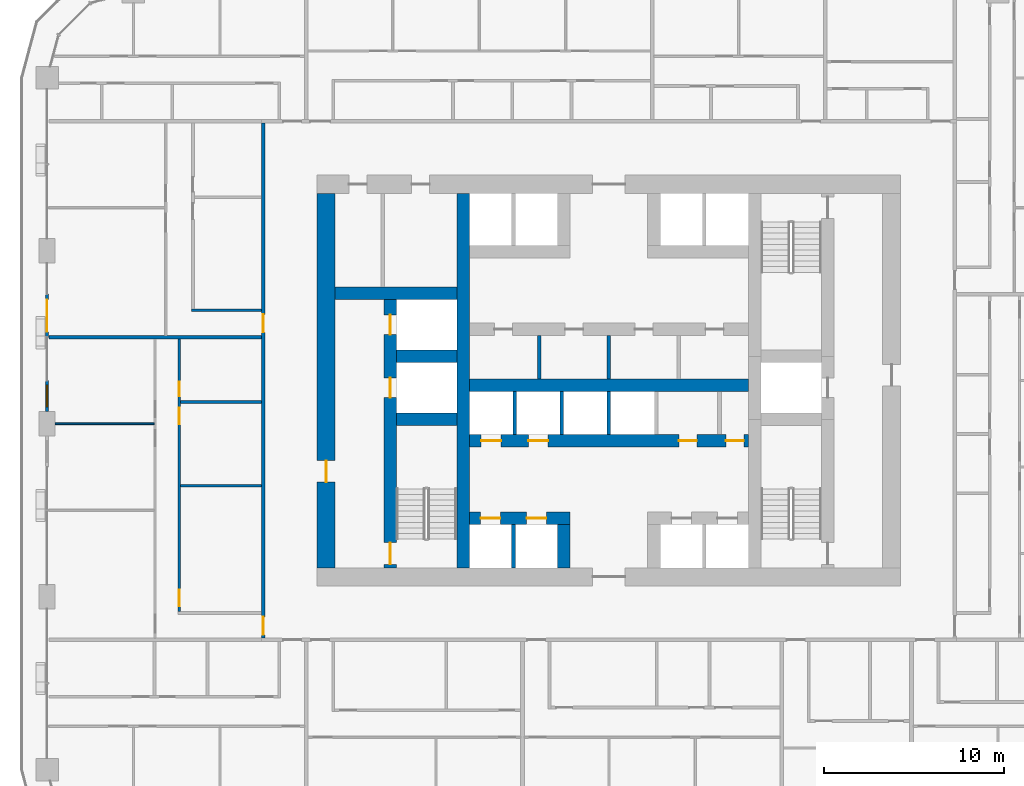
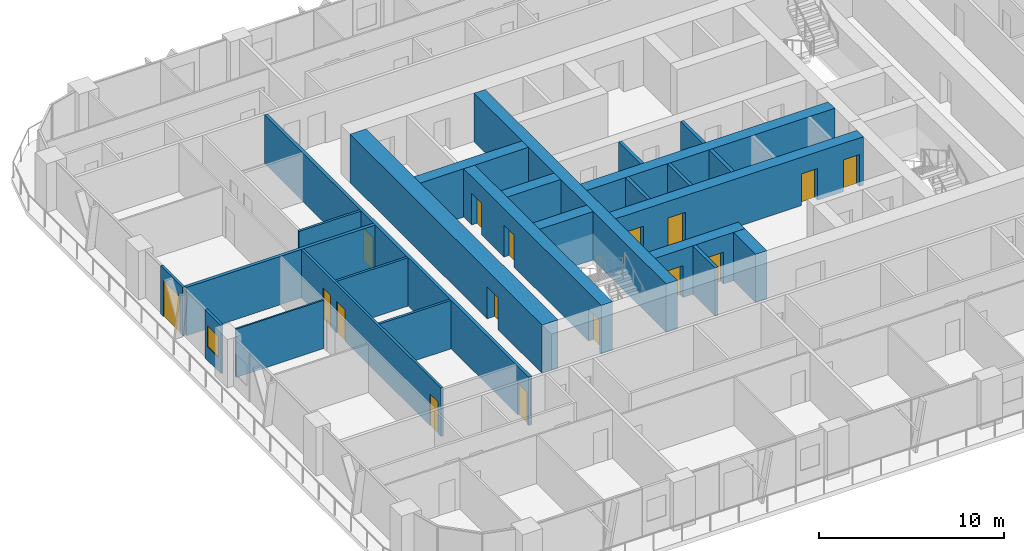
# One storey, part 10 of 21: 25 walls, 16 doors, 1 window, 17 openings.
"""IFC4 building model written with IfcOpenShell, lengths in metres."""

from ifc_helpers import new_model, si_unit, direction, frame, frame_2d, origin, place, context, subcontext, project, spatial, rectangle, extrude, material, layer, layer_set, type_object, element, fill, save


model = new_model("IFC4")

# Units and contexts
model_context = context("Model", 3, precision=1e-05, world=origin(), true_north=direction((0.0, 1.0)))
body_context = subcontext(model_context, "Body", "Model", "MODEL_VIEW")
ifc_project = project(units=[si_unit("LENGTHUNIT", "METRE"), si_unit("AREAUNIT", "SQUARE_METRE"), si_unit("VOLUMEUNIT", "CUBIC_METRE"), si_unit("PLANEANGLEUNIT", "RADIAN"), si_unit("MASSUNIT", "GRAM", prefix="KILO")], contexts=[model_context])

# Site, building, storey
site_placement = place(None, origin())
site = spatial("IfcSite", under=ifc_project, at=site_placement, CompositionType="ELEMENT")
building_placement = place(site_placement, origin())
building = spatial("IfcBuilding", under=site, at=building_placement, Name="Madar Terraces", CompositionType="ELEMENT")
storey_placement = place(building_placement, frame((0.0, 0.0, 36.39990234375)))
storey = spatial("IfcBuildingStorey", under=building, at=storey_placement, Name="L08", CompositionType="ELEMENT", Elevation=36.39990234375)

# Wall, openings, doors
ifc_material_1 = material(Name="Concrete C80/95", Category="concrete")
ifc_layer_1 = layer(ifc_material_1, 0.699951171875)
ifc_layer_set_1 = layer_set([ifc_layer_1], Name="Concrete C80/95 (CIW1 RC wall 700)")
wall_type_1 = type_object("IfcWallType", Name="CIW1 RC wall 700", PredefinedType="SHEAR", material=ifc_layer_set_1)
wall_1_placement = place(storey_placement, frame((19.050048828125, 16.0, 0.0), z_axis=(0.0, 0.0, 1.0), x_axis=(0.0, 1.0, 0.0)))
wall_1 = element("IfcWall", 1, at=wall_1_placement, inside=storey, type_object=wall_type_1, Name="CORE SHAFT WALL", PredefinedType="SHEAR", context=body_context, shape_type="SweptSolid", body=[
    extrude(rectangle(XDim=14.89990234375, YDim=0.699951171875, at=frame_2d((7.449951171875, 0.0))), origin(), (0.0, 0.0, 1.0), 3.2001953125),
])
opening_1_placement = place(wall_1_placement, frame((9.449951171875, 0.0, 0.0)))
opening_1 = element("IfcOpeningElement", 2, at=opening_1_placement, cuts=wall_1, Name="Opening LD", PredefinedType="OPENING", context=body_context, shape_type="SweptSolid", body=[
    extrude(rectangle(XDim=1.10009765625, YDim=2.10009765625, at=frame_2d((0.550048828125, 1.050048828125))), frame((0.0, 0.35986328125, 0.0), z_axis=(0.0, -1.0, 0.0), x_axis=(1.0, 0.0, 0.0)), (0.0, 0.0, 1.0), 0.719970703125),
])
opening_2_placement = place(wall_1_placement, frame((12.949951171875, 0.0, 0.0)))
opening_2 = element("IfcOpeningElement", 3, at=opening_2_placement, cuts=wall_1, Name="Opening LD", PredefinedType="OPENING", context=body_context, shape_type="SweptSolid", body=[
    extrude(rectangle(XDim=1.10009765625, YDim=2.10009765625, at=frame_2d((0.550048828125, 1.050048828125))), frame((0.0, 0.35986328125, 0.0), z_axis=(0.0, -1.0, 0.0), x_axis=(1.0, 0.0, 0.0)), (0.0, 0.0, 1.0), 0.719970703125),
])
opening_3_placement = place(wall_1_placement, frame((0.199951171875, 0.0, 0.0)))
opening_3 = element("IfcOpeningElement", 4, at=opening_3_placement, cuts=wall_1, Name="Opening SD1", PredefinedType="OPENING", context=body_context, shape_type="SweptSolid", body=[
    extrude(rectangle(XDim=1.199951171875, YDim=2.10009765625, at=frame_2d((0.60009765625, 1.050048828125))), frame((0.0, 0.35986328125, 0.0), z_axis=(0.0, -1.0, 0.0), x_axis=(1.0, 0.0, 0.0)), (0.0, 0.0, 1.0), 0.719970703125),
])
ifc_material_2 = material(Name="Stainless steel panel", Category="steel")
door_type_1 = type_object("IfcDoorType", Name="Lift landing door 1100 x 2100", OperationType="DOUBLE_DOOR_SLIDING", PredefinedType="DOOR", material=ifc_material_2)
door_1_placement = place(opening_1_placement, origin())
door_1 = element("IfcDoor", 5, at=door_1_placement, inside=storey, type_object=door_type_1, Name="LIFT LANDING DOOR", OperationType="DOUBLE_DOOR_SLIDING", OverallHeight=2.10009765625, OverallWidth=1.10009765625, PredefinedType="DOOR", context=body_context, shape_type="SweptSolid", body=[
    extrude(rectangle(XDim=1.10009765625, YDim=2.10009765625, at=frame_2d((0.550048828125, 1.050048828125))), frame((0.0, 0.02490234375, 0.0), z_axis=(0.0, -1.0, 0.0), x_axis=(1.0, 0.0, 0.0)), (0.0, 0.0, 1.0), 0.050048828125),
])
fill(opening_1, door_1)
door_2_placement = place(opening_2_placement, origin())
door_2 = element("IfcDoor", 6, at=door_2_placement, inside=storey, type_object=door_type_1, Name="LIFT LANDING DOOR", OperationType="DOUBLE_DOOR_SLIDING", OverallHeight=2.10009765625, OverallWidth=1.10009765625, PredefinedType="DOOR", context=body_context, shape_type="SweptSolid", body=[
    extrude(rectangle(XDim=1.10009765625, YDim=2.10009765625, at=frame_2d((0.550048828125, 1.050048828125))), frame((0.0, 0.02490234375, 0.0), z_axis=(0.0, -1.0, 0.0), x_axis=(1.0, 0.0, 0.0)), (0.0, 0.0, 1.0), 0.050048828125),
])
fill(opening_2, door_2)
ifc_material_3 = material(Name="Steel door leaf", Category="steel")
door_type_2 = type_object("IfcDoorType", Name="Stair door 1200 x 2100", OperationType="NOTDEFINED", PredefinedType="DOOR", material=ifc_material_3)
door_3_placement = place(opening_3_placement, frame((1.199951171875, 0.0, 0.0), z_axis=(0.0, 0.0, 1.0), x_axis=(-1.0, 0.0, 0.0)))
door_3 = element("IfcDoor", 7, at=door_3_placement, inside=storey, type_object=door_type_2, Name="STAIR DOOR", OperationType="SINGLE_SWING_RIGHT", OverallHeight=2.10009765625, OverallWidth=1.199951171875, PredefinedType="DOOR", context=body_context, shape_type="SweptSolid", body=[
    extrude(rectangle(XDim=1.199951171875, YDim=2.10009765625, at=frame_2d((0.60009765625, 1.050048828125))), frame((0.0, 0.02490234375, 0.0), z_axis=(0.0, -1.0, 0.0), x_axis=(1.0, 0.0, 0.0)), (0.0, 0.0, 1.0), 0.050048828125),
])
fill(opening_3, door_3)

# Walls
wall_2_placement = place(storey_placement, frame((23.10009765625, 16.0, 0.0), z_axis=(0.0, 0.0, 1.0), x_axis=(0.0, 1.0, 0.0)))
element("IfcWall", 8, at=wall_2_placement, inside=storey, type_object=wall_type_1, Name="CORE SHAFT WALL", PredefinedType="SHEAR", context=body_context, shape_type="SweptSolid", body=[
    extrude(rectangle(XDim=20.800048828125, YDim=0.699951171875, at=frame_2d((10.39990234375, 0.0))), origin(), (0.0, 0.0, 1.0), 3.2001953125),
])
for number, where, z_axis, x_axis, name in (
    (9, (19.39990234375, 24.25, 0.0), (0.0, 0.0, 1.0), (1.0, 0.0, 0.0), "CORE SHAFT WALL"),
    (10, (19.39990234375, 27.75, 0.0), (0.0, 0.0, 1.0), (1.0, 0.0, 0.0), "CORE SHAFT WALL"),
):
    element("IfcWall", number, at=place(storey_placement, frame(where, z_axis=z_axis, x_axis=x_axis)), inside=storey, type_object=wall_type_1, Name=name, PredefinedType="SHEAR", context=body_context, shape_type="SweptSolid", body=[
        extrude(rectangle(XDim=3.35009765625, YDim=0.699951171875, at=frame_2d((1.675048828125, 0.0))), origin(), (0.0, 0.0, 1.0), 3.2001953125),
    ])
wall_3_placement = place(storey_placement, frame((16.0, 31.25, 0.0), z_axis=(0.0, 0.0, 1.0), x_axis=(1.0, 0.0, 0.0)))
element("IfcWall", 11, at=wall_3_placement, inside=storey, type_object=wall_type_1, Name="CORE SHAFT WALL", PredefinedType="SHEAR", context=body_context, shape_type="SweptSolid", body=[
    extrude(rectangle(XDim=6.75, YDim=0.699951171875, at=frame_2d((3.375, 0.0))), origin(), (0.0, 0.0, 1.0), 3.2001953125),
])

# Wall, openings, doors
wall_4_placement = place(storey_placement, frame((23.449951171875, 18.75, 0.0), z_axis=(0.0, 0.0, 1.0), x_axis=(1.0, 0.0, 0.0)))
wall_4 = element("IfcWall", 12, at=wall_4_placement, inside=storey, type_object=wall_type_1, Name="CORE SHAFT WALL", PredefinedType="SHEAR", context=body_context, shape_type="SweptSolid", body=[
    extrude(rectangle(XDim=5.60009765625, YDim=0.699951171875, at=frame_2d((2.800048828125, 0.0))), origin(), (0.0, 0.0, 1.0), 3.2001953125),
])
opening_4_placement = place(wall_4_placement, frame((0.625, 0.0, 0.0)))
opening_4 = element("IfcOpeningElement", 13, at=opening_4_placement, cuts=wall_4, Name="Opening LD", PredefinedType="OPENING", context=body_context, shape_type="SweptSolid", body=[
    extrude(rectangle(XDim=1.10009765625, YDim=2.10009765625, at=frame_2d((0.550048828125, 1.050048828125))), frame((0.0, 0.35986328125, 0.0), z_axis=(0.0, -1.0, 0.0), x_axis=(1.0, 0.0, 0.0)), (0.0, 0.0, 1.0), 0.719970703125),
])
opening_5_placement = place(wall_4_placement, frame((3.175048828125, 0.0, 0.0)))
opening_5 = element("IfcOpeningElement", 14, at=opening_5_placement, cuts=wall_4, Name="Opening LD", PredefinedType="OPENING", context=body_context, shape_type="SweptSolid", body=[
    extrude(rectangle(XDim=1.10009765625, YDim=2.10009765625, at=frame_2d((0.550048828125, 1.050048828125))), frame((0.0, 0.35986328125, 0.0), z_axis=(0.0, -1.0, 0.0), x_axis=(1.0, 0.0, 0.0)), (0.0, 0.0, 1.0), 0.719970703125),
])
door_4_placement = place(opening_4_placement, origin())
door_4 = element("IfcDoor", 15, at=door_4_placement, inside=storey, type_object=door_type_1, Name="LIFT LANDING DOOR", OperationType="DOUBLE_DOOR_SLIDING", OverallHeight=2.10009765625, OverallWidth=1.10009765625, PredefinedType="DOOR", context=body_context, shape_type="SweptSolid", body=[
    extrude(rectangle(XDim=1.10009765625, YDim=2.10009765625, at=frame_2d((0.550048828125, 1.050048828125))), frame((0.0, 0.02490234375, 0.0), z_axis=(0.0, -1.0, 0.0), x_axis=(1.0, 0.0, 0.0)), (0.0, 0.0, 1.0), 0.050048828125),
])
fill(opening_4, door_4)
door_5_placement = place(opening_5_placement, origin())
door_5 = element("IfcDoor", 16, at=door_5_placement, inside=storey, type_object=door_type_1, Name="LIFT LANDING DOOR", OperationType="DOUBLE_DOOR_SLIDING", OverallHeight=2.10009765625, OverallWidth=1.10009765625, PredefinedType="DOOR", context=body_context, shape_type="SweptSolid", body=[
    extrude(rectangle(XDim=1.10009765625, YDim=2.10009765625, at=frame_2d((0.550048828125, 1.050048828125))), frame((0.0, 0.02490234375, 0.0), z_axis=(0.0, -1.0, 0.0), x_axis=(1.0, 0.0, 0.0)), (0.0, 0.0, 1.0), 0.050048828125),
])
fill(opening_5, door_5)

wall_5_placement = place(storey_placement, frame((23.449951171875, 23.050048828125, 0.0), z_axis=(0.0, 0.0, 1.0), x_axis=(1.0, 0.0, 0.0)))
wall_5 = element("IfcWall", 17, at=wall_5_placement, inside=storey, type_object=wall_type_1, Name="CORE SHAFT WALL", PredefinedType="SHEAR", context=body_context, shape_type="SweptSolid", body=[
    extrude(rectangle(XDim=15.5, YDim=0.699951171875, at=frame_2d((7.75, 0.0))), origin(), (0.0, 0.0, 1.0), 3.2001953125),
])
opening_6_placement = place(wall_5_placement, frame((0.658447265625, 0.0, 0.0)))
opening_6 = element("IfcOpeningElement", 18, at=opening_6_placement, cuts=wall_5, Name="Opening LD", PredefinedType="OPENING", context=body_context, shape_type="SweptSolid", body=[
    extrude(rectangle(XDim=1.10009765625, YDim=2.10009765625, at=frame_2d((0.550048828125, 1.050048828125))), frame((0.0, 0.35986328125, 0.0), z_axis=(0.0, -1.0, 0.0), x_axis=(1.0, 0.0, 0.0)), (0.0, 0.0, 1.0), 0.719970703125),
])
opening_7_placement = place(wall_5_placement, frame((3.27490234375, 0.0, 0.0)))
opening_7 = element("IfcOpeningElement", 19, at=opening_7_placement, cuts=wall_5, Name="Opening LD", PredefinedType="OPENING", context=body_context, shape_type="SweptSolid", body=[
    extrude(rectangle(XDim=1.10009765625, YDim=2.10009765625, at=frame_2d((0.550048828125, 1.050048828125))), frame((0.0, 0.35986328125, 0.0), z_axis=(0.0, -1.0, 0.0), x_axis=(1.0, 0.0, 0.0)), (0.0, 0.0, 1.0), 0.719970703125),
])
opening_8_placement = place(wall_5_placement, frame((11.6279296875, 0.0, 0.0)))
opening_8 = element("IfcOpeningElement", 20, at=opening_8_placement, cuts=wall_5, Name="Opening KD2", PredefinedType="OPENING", context=body_context, shape_type="SweptSolid", body=[
    extrude(rectangle(XDim=1.0, YDim=2.10009765625, at=frame_2d((0.5, 1.050048828125))), frame((0.0, 0.35986328125, 0.0), z_axis=(0.0, -1.0, 0.0), x_axis=(1.0, 0.0, 0.0)), (0.0, 0.0, 1.0), 0.719970703125),
])
opening_9_placement = place(wall_5_placement, frame((14.24462890625, 0.0, 0.0)))
opening_9 = element("IfcOpeningElement", 21, at=opening_9_placement, cuts=wall_5, Name="Opening KD2", PredefinedType="OPENING", context=body_context, shape_type="SweptSolid", body=[
    extrude(rectangle(XDim=1.0, YDim=2.10009765625, at=frame_2d((0.5, 1.050048828125))), frame((0.0, 0.35986328125, 0.0), z_axis=(0.0, -1.0, 0.0), x_axis=(1.0, 0.0, 0.0)), (0.0, 0.0, 1.0), 0.719970703125),
])
door_6_placement = place(opening_6_placement, origin())
door_6 = element("IfcDoor", 22, at=door_6_placement, inside=storey, type_object=door_type_1, Name="LIFT LANDING DOOR", OperationType="DOUBLE_DOOR_SLIDING", OverallHeight=2.10009765625, OverallWidth=1.10009765625, PredefinedType="DOOR", context=body_context, shape_type="SweptSolid", body=[
    extrude(rectangle(XDim=1.10009765625, YDim=2.10009765625, at=frame_2d((0.550048828125, 1.050048828125))), frame((0.0, 0.02490234375, 0.0), z_axis=(0.0, -1.0, 0.0), x_axis=(1.0, 0.0, 0.0)), (0.0, 0.0, 1.0), 0.050048828125),
])
fill(opening_6, door_6)
door_7_placement = place(opening_7_placement, origin())
door_7 = element("IfcDoor", 23, at=door_7_placement, inside=storey, type_object=door_type_1, Name="LIFT LANDING DOOR", OperationType="DOUBLE_DOOR_SLIDING", OverallHeight=2.10009765625, OverallWidth=1.10009765625, PredefinedType="DOOR", context=body_context, shape_type="SweptSolid", body=[
    extrude(rectangle(XDim=1.10009765625, YDim=2.10009765625, at=frame_2d((0.550048828125, 1.050048828125))), frame((0.0, 0.02490234375, 0.0), z_axis=(0.0, -1.0, 0.0), x_axis=(1.0, 0.0, 0.0)), (0.0, 0.0, 1.0), 0.050048828125),
])
fill(opening_7, door_7)
ifc_material_4 = material(Name="Steel door leaf", Category="steel")
door_type_3 = type_object("IfcDoorType", Name="Service room door 1000 x 2100", OperationType="NOTDEFINED", PredefinedType="DOOR", material=ifc_material_4)
door_8_placement = place(opening_8_placement, frame((1.0, 0.0, 0.0), z_axis=(0.0, 0.0, 1.0), x_axis=(-1.0, 0.0, 0.0)))
door_8 = element("IfcDoor", 24, at=door_8_placement, inside=storey, type_object=door_type_3, Name="SERVICE ROOM DOOR", OperationType="SINGLE_SWING_LEFT", OverallHeight=2.10009765625, OverallWidth=1.0, PredefinedType="DOOR", context=body_context, shape_type="SweptSolid", body=[
    extrude(rectangle(XDim=1.0, YDim=2.10009765625, at=frame_2d((0.5, 1.050048828125))), frame((0.0, 0.02490234375, 0.0), z_axis=(0.0, -1.0, 0.0), x_axis=(1.0, 0.0, 0.0)), (0.0, 0.0, 1.0), 0.050048828125),
])
fill(opening_8, door_8)
door_9_placement = place(opening_9_placement, frame((1.0, 0.0, 0.0), z_axis=(0.0, 0.0, 1.0), x_axis=(-1.0, 0.0, 0.0)))
door_9 = element("IfcDoor", 25, at=door_9_placement, inside=storey, type_object=door_type_3, Name="SERVICE ROOM DOOR", OperationType="SINGLE_SWING_RIGHT", OverallHeight=2.10009765625, OverallWidth=1.0, PredefinedType="DOOR", context=body_context, shape_type="SweptSolid", body=[
    extrude(rectangle(XDim=1.0, YDim=2.10009765625, at=frame_2d((0.5, 1.050048828125))), frame((0.0, 0.02490234375, 0.0), z_axis=(0.0, -1.0, 0.0), x_axis=(1.0, 0.0, 0.0)), (0.0, 0.0, 1.0), 0.050048828125),
])
fill(opening_9, door_9)

# Walls
wall_6_placement = place(storey_placement, frame((23.449951171875, 26.14990234375, 0.0), z_axis=(0.0, 0.0, 1.0), x_axis=(1.0, 0.0, 0.0)))
element("IfcWall", 26, at=wall_6_placement, inside=storey, type_object=wall_type_1, Name="CORE SHAFT WALL", PredefinedType="SHEAR", context=body_context, shape_type="SweptSolid", body=[
    extrude(rectangle(XDim=15.5, YDim=0.699951171875, at=frame_2d((7.75, 0.0))), origin(), (0.0, 0.0, 1.0), 3.2001953125),
])
wall_7_placement = place(storey_placement, frame((28.699951171875, 16.0, 0.0), z_axis=(0.0, 0.0, 1.0), x_axis=(0.0, 1.0, 0.0)))
element("IfcWall", 27, at=wall_7_placement, inside=storey, type_object=wall_type_1, Name="CORE SHAFT WALL", PredefinedType="SHEAR", context=body_context, shape_type="SweptSolid", body=[
    extrude(rectangle(XDim=2.39990234375, YDim=0.699951171875, at=frame_2d((1.199951171875, 0.0))), origin(), (0.0, 0.0, 1.0), 3.2001953125),
])

# Wall, opening, door
ifc_material_5 = material(Name="Concrete C80/95", Category="concrete")
ifc_layer_2 = layer(ifc_material_5, 1.0)
ifc_layer_set_2 = layer_set([ifc_layer_2], Name="Concrete C80/95 (CRW1 RC wall 1000)")
wall_type_2 = type_object("IfcWallType", Name="CRW1 RC wall 1000", PredefinedType="SHEAR", material=ifc_layer_set_2)
wall_8_placement = place(storey_placement, frame((15.5, 16.0, 0.0), z_axis=(0.0, 0.0, 1.0), x_axis=(0.0, 1.0, 0.0)))
wall_8 = element("IfcWall", 28, at=wall_8_placement, inside=storey, type_object=wall_type_2, Name="CORE OUTER WALL", PredefinedType="SHEAR", context=body_context, shape_type="SweptSolid", body=[
    extrude(rectangle(XDim=20.800048828125, YDim=1.0, at=frame_2d((10.39990234375, 0.0))), origin(), (0.0, 0.0, 1.0), 3.2001953125),
])
opening_10_placement = place(wall_8_placement, frame((4.760009765625, 0.0, 0.0)))
opening_10 = element("IfcOpeningElement", 29, at=opening_10_placement, cuts=wall_8, Name="Opening SD1", PredefinedType="OPENING", context=body_context, shape_type="SweptSolid", body=[
    extrude(rectangle(XDim=1.199951171875, YDim=2.10009765625, at=frame_2d((0.60009765625, 1.050048828125))), frame((0.0, 0.510009765625, 0.0), z_axis=(0.0, -1.0, 0.0), x_axis=(1.0, 0.0, 0.0)), (0.0, 0.0, 1.0), 1.02001953125),
])
door_10_placement = place(opening_10_placement, frame((1.199951171875, 0.0, 0.0), z_axis=(0.0, 0.0, 1.0), x_axis=(-1.0, 0.0, 0.0)))
door_10 = element("IfcDoor", 30, at=door_10_placement, inside=storey, type_object=door_type_2, Name="STAIR DOOR", OperationType="SINGLE_SWING_LEFT", OverallHeight=2.10009765625, OverallWidth=1.199951171875, PredefinedType="DOOR", context=body_context, shape_type="SweptSolid", body=[
    extrude(rectangle(XDim=1.199951171875, YDim=2.10009765625, at=frame_2d((0.60009765625, 1.050048828125))), frame((0.0, 0.02490234375, 0.0), z_axis=(0.0, -1.0, 0.0), x_axis=(1.0, 0.0, 0.0)), (0.0, 0.0, 1.0), 0.050048828125),
])
fill(opening_10, door_10)

# Walls
ifc_material_6 = material(Name="Masonry blockwork", Category="masonry")
ifc_layer_3 = layer(ifc_material_6, 0.199951171875)
ifc_layer_set_3 = layer_set([ifc_layer_3], Name="Core partition 200 blockwork")
wall_type_3 = type_object("IfcWallType", Name="Core partition 200 blockwork", PredefinedType="PARTITIONING", material=ifc_layer_set_3)
for number, where, z_axis, x_axis, name in (
    (31, (27.324951171875, 26.5, 0.0), (0.0, 0.0, 1.0), (0.0, 1.0, 0.0), "SERVICE ROOM PARTITION"),
    (32, (31.199951171875, 26.5, 0.0), (0.0, 0.0, 1.0), (0.0, 1.0, 0.0), "SERVICE ROOM PARTITION"),
):
    element("IfcWall", number, at=place(storey_placement, frame(where, z_axis=z_axis, x_axis=x_axis)), inside=storey, type_object=wall_type_3, Name=name, PredefinedType="PARTITIONING", context=body_context, shape_type="SweptSolid", body=[
        extrude(rectangle(XDim=2.39990234375, YDim=0.199951171875, at=frame_2d((1.199951171875, 0.0))), origin(), (0.0, 0.0, 1.0), 3.2001953125),
    ])
ifc_material_7 = material(Name="Concrete C40/50", Category="concrete")
ifc_layer_4 = layer(ifc_material_7, 0.199951171875)
ifc_layer_set_4 = layer_set([ifc_layer_4], Name="Core shaft dividing wall 200 C40/50")
wall_type_4 = type_object("IfcWallType", Name="Core shaft dividing wall 200 C40/50", PredefinedType="SOLIDWALL", material=ifc_layer_set_4)
for number, where, z_axis, x_axis, name in (
    (33, (25.966552734375, 23.39990234375, 0.0), (0.0, 0.0, 1.0), (0.0, 1.0, 0.0), "SHAFT DIVIDING WALL"),
    (34, (28.583251953125, 23.39990234375, 0.0), (0.0, 0.0, 1.0), (0.0, 1.0, 0.0), "SHAFT DIVIDING WALL"),
    (35, (31.199951171875, 23.39990234375, 0.0), (0.0, 0.0, 1.0), (0.0, 1.0, 0.0), "SHAFT DIVIDING WALL"),
):
    element("IfcWall", number, at=place(storey_placement, frame(where, z_axis=z_axis, x_axis=x_axis)), inside=storey, type_object=wall_type_4, Name=name, PredefinedType="SOLIDWALL", context=body_context, shape_type="SweptSolid", body=[
        extrude(rectangle(XDim=2.400146484375, YDim=0.199951171875, at=frame_2d((1.2001953125, 0.0))), origin(), (0.0, 0.0, 1.0), 3.2001953125),
    ])
wall_9_placement = place(storey_placement, frame((25.89990234375, 16.0, 0.0), z_axis=(0.0, 0.0, 1.0), x_axis=(0.0, 1.0, 0.0)))
element("IfcWall", 36, at=wall_9_placement, inside=storey, type_object=wall_type_4, Name="SHAFT DIVIDING WALL", PredefinedType="SOLIDWALL", context=body_context, shape_type="SweptSolid", body=[
    extrude(rectangle(XDim=2.39990234375, YDim=0.199951171875, at=frame_2d((1.199951171875, 0.0))), origin(), (0.0, 0.0, 1.0), 3.2001953125),
])

# Wall, opening, door
ifc_material_8 = material(Name="Aluminium composite panel, black, over insulated backing", Category="aluminium")
ifc_layer_5 = layer(ifc_material_8, 0.14990234375)
ifc_layer_set_5 = layer_set([ifc_layer_5], Name="Facade bay panel 150")
wall_type_5 = type_object("IfcWallType", Name="Facade bay panel 150", PredefinedType="SOLIDWALL", material=ifc_layer_set_5)
wall_10_placement = place(storey_placement, frame((0.0, 31.199951171875, 0.0), z_axis=(0.0, 0.0, 1.0), x_axis=(0.0, -1.0, 0.0)))
wall_10 = element("IfcWall", 37, at=wall_10_placement, inside=storey, type_object=wall_type_5, Name="Facade bay panel", PredefinedType="SOLIDWALL", context=body_context, shape_type="SweptSolid", body=[
    extrude(rectangle(XDim=2.39990234375, YDim=0.14990234375, at=frame_2d((1.199951171875, 0.0))), origin(), (0.0, 0.0, 1.0), 3.2001953125),
])
opening_11_placement = place(wall_10_placement, frame((0.300048828125, 0.0, 0.0)))
opening_11 = element("IfcOpeningElement", 38, at=opening_11_placement, cuts=wall_10, Name="Opening ED1", PredefinedType="OPENING", context=body_context, shape_type="SweptSolid", body=[
    extrude(rectangle(XDim=1.800048828125, YDim=2.39990234375, at=frame_2d((0.89990234375, 1.199951171875))), frame((0.0, 0.0849609375, 0.0), z_axis=(0.0, -1.0, 0.0), x_axis=(1.0, 0.0, 0.0)), (0.0, 0.0, 1.0), 0.169921875),
])
ifc_material_9 = material(Name="Glass, clear, with black aluminium frame", Category="aluminium")
door_type_4 = type_object("IfcDoorType", Name="Balcony and terrace sliding door 1800 x 2400", OperationType="SLIDING_TO_LEFT", PredefinedType="DOOR", material=ifc_material_9)
door_11_placement = place(opening_11_placement, origin())
door_11 = element("IfcDoor", 39, at=door_11_placement, inside=storey, type_object=door_type_4, Name="Balcony door", OperationType="SLIDING_TO_RIGHT", OverallHeight=2.39990234375, OverallWidth=1.800048828125, PredefinedType="DOOR", context=body_context, shape_type="SweptSolid", body=[
    extrude(rectangle(XDim=1.800048828125, YDim=2.39990234375, at=frame_2d((0.89990234375, 1.199951171875))), frame((0.0, 0.02490234375, 0.0), z_axis=(0.0, -1.0, 0.0), x_axis=(1.0, 0.0, 0.0)), (0.0, 0.0, 1.0), 0.050048828125),
])
fill(opening_11, door_11)

# Wall, opening, window
wall_11_placement = place(storey_placement, frame((0.0, 26.39990234375, 0.0), z_axis=(0.0, 0.0, 1.0), x_axis=(0.0, -1.0, 0.0)))
wall_11 = element("IfcWall", 40, at=wall_11_placement, inside=storey, type_object=wall_type_5, Name="Facade bay panel", PredefinedType="SOLIDWALL", context=body_context, shape_type="SweptSolid", body=[
    extrude(rectangle(XDim=1.724853515625, YDim=0.14990234375, at=frame_2d((0.8623046875, 0.0))), origin(), (0.0, 0.0, 1.0), 3.2001953125),
])
opening_12_placement = place(wall_11_placement, frame((0.262451171875, 0.0, 0.89990234375)))
opening_12 = element("IfcOpeningElement", 41, at=opening_12_placement, cuts=wall_11, Name="Opening W1", PredefinedType="OPENING", context=body_context, shape_type="SweptSolid", body=[
    extrude(rectangle(XDim=1.199951171875, YDim=1.39990234375, at=frame_2d((0.60009765625, 0.699951171875))), frame((0.0, 0.0849609375, 0.0), z_axis=(0.0, -1.0, 0.0), x_axis=(1.0, 0.0, 0.0)), (0.0, 0.0, 1.0), 0.169921875),
])
ifc_material_10 = material(Name="Glass, clear, with black aluminium frame", Category="aluminium")
window_type = type_object("IfcWindowType", Name="Vent window 1200 x 1400", PartitioningType="SINGLE_PANEL", PredefinedType="WINDOW", material=ifc_material_10)
window_placement = place(opening_12_placement, origin())
window = element("IfcWindow", 42, at=window_placement, inside=storey, type_object=window_type, Name="Operable vent window", OverallHeight=1.39990234375, OverallWidth=1.199951171875, PartitioningType="SINGLE_PANEL", PredefinedType="WINDOW", context=body_context, shape_type="SweptSolid", body=[
    extrude(rectangle(XDim=1.199951171875, YDim=1.39990234375, at=frame_2d((0.60009765625, 0.699951171875))), frame((0.0, 0.030029296875, 0.0), z_axis=(0.0, -1.0, 0.0), x_axis=(1.0, 0.0, 0.0)), (0.0, 0.0, 1.0), 0.06005859375),
])
fill(opening_12, window)

# Wall
ifc_material_11 = material(Name="Gypsum board on steel studs", Category="steel")
ifc_layer_6 = layer(ifc_material_11, 0.10009765625)
ifc_layer_set_6 = layer_set([ifc_layer_6], Name="Flat partition 100")
wall_type_6 = type_object("IfcWallType", Name="Flat partition 100", PredefinedType="PARTITIONING", material=ifc_layer_set_6)
wall_12_placement = place(storey_placement, frame((5.949951171875, 24.0, 0.0), z_axis=(0.0, 0.0, 1.0), x_axis=(-1.0, 0.0, 0.0)))
element("IfcWall", 43, at=wall_12_placement, inside=storey, type_object=wall_type_6, Name="Flat partition 100", PredefinedType="PARTITIONING", context=body_context, shape_type="SweptSolid", body=[
    extrude(rectangle(XDim=5.5, YDim=0.10009765625, at=frame_2d((2.75, 0.0))), origin(), (0.0, 0.0, 1.0), 3.2001953125),
])

# Wall, openings, doors
ifc_material_12 = material(Name="Lightweight blockwork", Category="masonry")
ifc_layer_7 = layer(ifc_material_12, 0.199951171875)
ifc_layer_set_7 = layer_set([ifc_layer_7], Name="Flat party and entrance wall 200")
wall_type_7 = type_object("IfcWallType", Name="Flat party and entrance wall 200", PredefinedType="PARTITIONING", material=ifc_layer_set_7)
wall_13_placement = place(storey_placement, frame((12.0, 12.10009765625, 0.0), z_axis=(0.0, 0.0, 1.0), x_axis=(0.0, 1.0, 0.0)))
wall_13 = element("IfcWall", 44, at=wall_13_placement, inside=storey, type_object=wall_type_7, Name="Flat party and entrance wall 200", PredefinedType="PARTITIONING", context=body_context, shape_type="SweptSolid", body=[
    extrude(rectangle(XDim=28.599853515625, YDim=0.199951171875, at=frame_2d((14.2998046875, 0.0))), origin(), (0.0, 0.0, 1.0), 3.2001953125),
])
opening_13_placement = place(wall_13_placement, frame((16.97509765625, 0.0, 0.0)))
opening_13 = element("IfcOpeningElement", 45, at=opening_13_placement, cuts=wall_13, Name="Opening D1", PredefinedType="OPENING", context=body_context, shape_type="SweptSolid", body=[
    extrude(rectangle(XDim=1.0, YDim=2.10009765625, at=frame_2d((0.5, 1.050048828125))), frame((0.0, 0.10986328125, 0.0), z_axis=(0.0, -1.0, 0.0), x_axis=(1.0, 0.0, 0.0)), (0.0, 0.0, 1.0), 0.219970703125),
])
opening_14_placement = place(wall_13_placement, frame((0.175048828125, 0.0, 0.0)))
opening_14 = element("IfcOpeningElement", 46, at=opening_14_placement, cuts=wall_13, Name="Opening D1", PredefinedType="OPENING", context=body_context, shape_type="SweptSolid", body=[
    extrude(rectangle(XDim=1.0, YDim=2.10009765625, at=frame_2d((0.5, 1.050048828125))), frame((0.0, 0.10986328125, 0.0), z_axis=(0.0, -1.0, 0.0), x_axis=(1.0, 0.0, 0.0)), (0.0, 0.0, 1.0), 0.219970703125),
])
ifc_material_13 = material(Name="Timber fire door leaf", Category="wood")
door_type_5 = type_object("IfcDoorType", Name="Flat entrance door 1000 FD30S", OperationType="NOTDEFINED", PredefinedType="DOOR", material=ifc_material_13)
door_12_placement = place(opening_13_placement, origin())
door_12 = element("IfcDoor", 47, at=door_12_placement, inside=storey, type_object=door_type_5, Name="Flat entrance door 1000 FD30S", OperationType="SINGLE_SWING_LEFT", OverallHeight=2.10009765625, OverallWidth=1.0, PredefinedType="DOOR", context=body_context, shape_type="SweptSolid", body=[
    extrude(rectangle(XDim=1.0, YDim=2.10009765625, at=frame_2d((0.5, 1.050048828125))), frame((0.0, 0.02490234375, 0.0), z_axis=(0.0, -1.0, 0.0), x_axis=(1.0, 0.0, 0.0)), (0.0, 0.0, 1.0), 0.050048828125),
])
fill(opening_13, door_12)
door_13_placement = place(opening_14_placement, origin())
door_13 = element("IfcDoor", 48, at=door_13_placement, inside=storey, type_object=door_type_5, Name="Flat entrance door 1000 FD30S", OperationType="SINGLE_SWING_LEFT", OverallHeight=2.10009765625, OverallWidth=1.0, PredefinedType="DOOR", context=body_context, shape_type="SweptSolid", body=[
    extrude(rectangle(XDim=1.0, YDim=2.10009765625, at=frame_2d((0.5, 1.050048828125))), frame((0.0, 0.02490234375, 0.0), z_axis=(0.0, -1.0, 0.0), x_axis=(1.0, 0.0, 0.0)), (0.0, 0.0, 1.0), 0.050048828125),
])
fill(opening_14, door_13)

# Walls
wall_14_placement = place(storey_placement, frame((0.10009765625, 28.800048828125, 0.0), z_axis=(0.0, 0.0, 1.0), x_axis=(1.0, 0.0, 0.0)))
element("IfcWall", 49, at=wall_14_placement, inside=storey, type_object=wall_type_7, Name="Flat party and entrance wall 200", PredefinedType="PARTITIONING", context=body_context, shape_type="SweptSolid", body=[
    extrude(rectangle(XDim=11.7998046875, YDim=0.199951171875, at=frame_2d((5.89990234375, 0.0))), origin(), (0.0, 0.0, 1.0), 3.2001953125),
])
ifc_material_14 = material(Name="Lightweight blockwork", Category="masonry")
ifc_layer_8 = layer(ifc_material_14, 0.14990234375)
ifc_layer_set_8 = layer_set([ifc_layer_8], Name="Flat wet-room partition 150")
wall_type_8 = type_object("IfcWallType", Name="Flat wet-room partition 150", PredefinedType="PARTITIONING", material=ifc_layer_set_8)
wall_15_placement = place(storey_placement, frame((11.89990234375, 30.300048828125, 0.0), z_axis=(0.0, 0.0, 1.0), x_axis=(-1.0, 0.0, 0.0)))
element("IfcWall", 50, at=wall_15_placement, inside=storey, type_object=wall_type_8, Name="Flat wet-room partition 150", PredefinedType="PARTITIONING", context=body_context, shape_type="SweptSolid", body=[
    extrude(rectangle(XDim=3.875, YDim=0.14990234375, at=frame_2d((1.9375, 0.0))), origin(), (0.0, 0.0, 1.0), 3.2001953125),
])
for number, where, z_axis, x_axis, name in (
    (51, (11.89990234375, 20.555908203125, 0.0), (0.0, 0.0, 1.0), (-1.0, 0.0, 0.0), "Flat wet-room partition 150"),
    (52, (11.89990234375, 25.209716796875, 0.0), (0.0, 0.0, 1.0), (-1.0, 0.0, 0.0), "Flat wet-room partition 150"),
):
    element("IfcWall", number, at=place(storey_placement, frame(where, z_axis=z_axis, x_axis=x_axis)), inside=storey, type_object=wall_type_8, Name=name, PredefinedType="PARTITIONING", context=body_context, shape_type="SweptSolid", body=[
        extrude(rectangle(XDim=4.474853515625, YDim=0.14990234375, at=frame_2d((2.2373046875, 0.0))), origin(), (0.0, 0.0, 1.0), 3.2001953125),
    ])

# Wall, openings, doors
wall_16_placement = place(storey_placement, frame((7.35009765625, 28.699951171875, 0.0), z_axis=(0.0, 0.0, 1.0), x_axis=(0.0, -1.0, 0.0)))
wall_16 = element("IfcWall", 53, at=wall_16_placement, inside=storey, type_object=wall_type_8, Name="Flat wet-room partition 150", PredefinedType="PARTITIONING", context=body_context, shape_type="SweptSolid", body=[
    extrude(rectangle(XDim=15.125, YDim=0.14990234375, at=frame_2d((7.5625, 0.0))), origin(), (0.0, 0.0, 1.0), 3.2001953125),
])
opening_15_placement = place(wall_16_placement, frame((13.925048828125, 0.0, 0.0)))
opening_15 = element("IfcOpeningElement", 54, at=opening_15_placement, cuts=wall_16, Name="Opening D2", PredefinedType="OPENING", context=body_context, shape_type="SweptSolid", body=[
    extrude(rectangle(XDim=0.89990234375, YDim=2.10009765625, at=frame_2d((0.449951171875, 1.050048828125))), frame((0.0, 0.0849609375, 0.0), z_axis=(0.0, -1.0, 0.0), x_axis=(1.0, 0.0, 0.0)), (0.0, 0.0, 1.0), 0.169921875),
])
opening_16_placement = place(wall_16_placement, frame((3.8154296875, 0.0, 0.0)))
opening_16 = element("IfcOpeningElement", 55, at=opening_16_placement, cuts=wall_16, Name="Opening D5", PredefinedType="OPENING", context=body_context, shape_type="SweptSolid", body=[
    extrude(rectangle(XDim=0.89990234375, YDim=2.10009765625, at=frame_2d((0.449951171875, 1.050048828125))), frame((0.0, 0.0849609375, 0.0), z_axis=(0.0, -1.0, 0.0), x_axis=(1.0, 0.0, 0.0)), (0.0, 0.0, 1.0), 0.169921875),
])
opening_17_placement = place(wall_16_placement, frame((2.365478515625, 0.0, 0.0)))
opening_17 = element("IfcOpeningElement", 56, at=opening_17_placement, cuts=wall_16, Name="Opening D4", PredefinedType="OPENING", context=body_context, shape_type="SweptSolid", body=[
    extrude(rectangle(XDim=0.800048828125, YDim=2.10009765625, at=frame_2d((0.39990234375, 1.050048828125))), frame((0.0, 0.0849609375, 0.0), z_axis=(0.0, -1.0, 0.0), x_axis=(1.0, 0.0, 0.0)), (0.0, 0.0, 1.0), 0.169921875),
])
ifc_material_15 = material(Name="Timber door leaf", Category="wood")
door_type_6 = type_object("IfcDoorType", Name="Flat accessible bathroom door 900", OperationType="NOTDEFINED", PredefinedType="DOOR", material=ifc_material_15)
door_14_placement = place(opening_16_placement, origin())
door_14 = element("IfcDoor", 57, at=door_14_placement, inside=storey, type_object=door_type_6, Name="Flat accessible bathroom door 900", OperationType="SINGLE_SWING_LEFT", OverallHeight=2.10009765625, OverallWidth=0.89990234375, PredefinedType="DOOR", context=body_context, shape_type="SweptSolid", body=[
    extrude(rectangle(XDim=0.89990234375, YDim=2.10009765625, at=frame_2d((0.449951171875, 1.050048828125))), frame((0.0, 0.02490234375, 0.0), z_axis=(0.0, -1.0, 0.0), x_axis=(1.0, 0.0, 0.0)), (0.0, 0.0, 1.0), 0.050048828125),
])
fill(opening_16, door_14)
ifc_material_16 = material(Name="Timber door leaf", Category="wood")
door_type_7 = type_object("IfcDoorType", Name="Flat bathroom door 800", OperationType="NOTDEFINED", PredefinedType="DOOR", material=ifc_material_16)
door_15_placement = place(opening_17_placement, origin())
door_15 = element("IfcDoor", 58, at=door_15_placement, inside=storey, type_object=door_type_7, Name="Flat bathroom door 800", OperationType="SINGLE_SWING_RIGHT", OverallHeight=2.10009765625, OverallWidth=0.800048828125, PredefinedType="DOOR", context=body_context, shape_type="SweptSolid", body=[
    extrude(rectangle(XDim=0.800048828125, YDim=2.10009765625, at=frame_2d((0.39990234375, 1.050048828125))), frame((0.0, 0.02490234375, 0.0), z_axis=(0.0, -1.0, 0.0), x_axis=(1.0, 0.0, 0.0)), (0.0, 0.0, 1.0), 0.050048828125),
])
fill(opening_17, door_15)
ifc_material_17 = material(Name="Timber door leaf", Category="wood")
door_type_8 = type_object("IfcDoorType", Name="Flat room door 900", OperationType="NOTDEFINED", PredefinedType="DOOR", material=ifc_material_17)
door_16_placement = place(opening_15_placement, origin())
door_16 = element("IfcDoor", 59, at=door_16_placement, inside=storey, type_object=door_type_8, Name="Flat room door 900", OperationType="SINGLE_SWING_RIGHT", OverallHeight=2.10009765625, OverallWidth=0.89990234375, PredefinedType="DOOR", context=body_context, shape_type="SweptSolid", body=[
    extrude(rectangle(XDim=0.89990234375, YDim=2.10009765625, at=frame_2d((0.449951171875, 1.050048828125))), frame((0.0, 0.02490234375, 0.0), z_axis=(0.0, -1.0, 0.0), x_axis=(1.0, 0.0, 0.0)), (0.0, 0.0, 1.0), 0.050048828125),
])
fill(opening_15, door_16)

save(model, "model.ifc")
